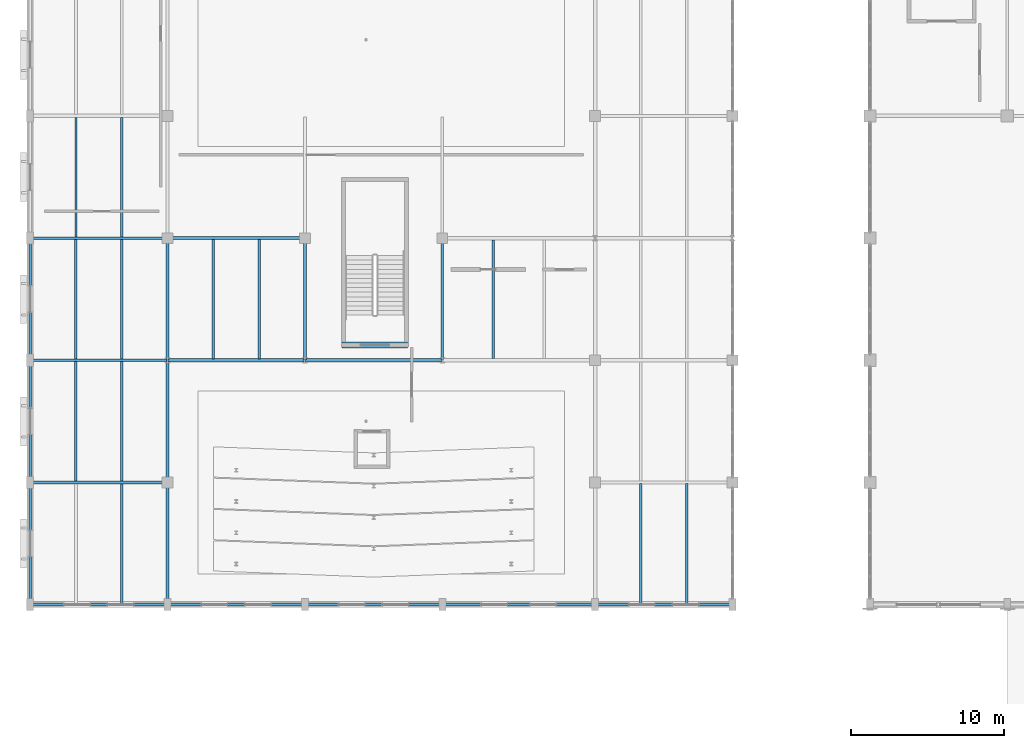
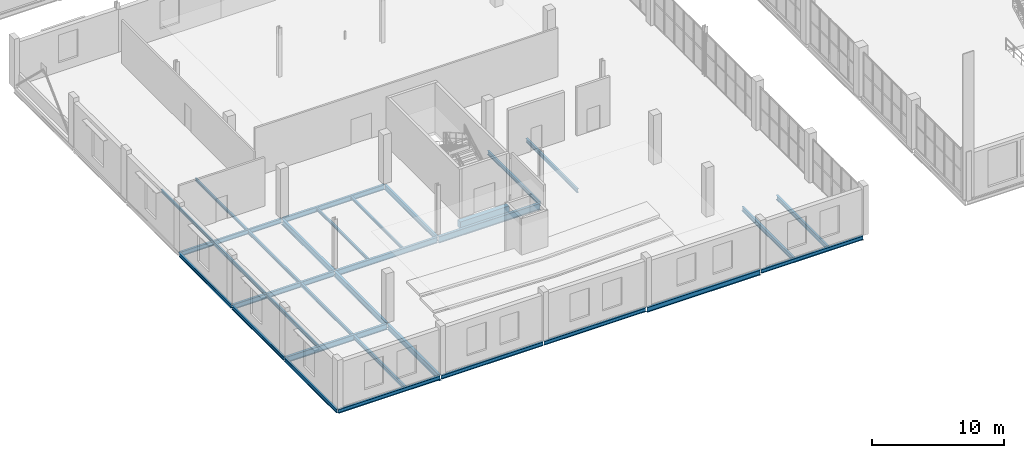
# One storey, part 22 of 93: 32 beams.
"""IFC4 building model written with IfcOpenShell, lengths in metres."""

from ifc_helpers import new_model, si_unit, direction, frame, origin, origin_2d, place, context, subcontext, project, spatial, rectangle, i_section, extrude, material, material_profile, profile_set, type_object, element, save


model = new_model("IFC4")

# Units and contexts
model_context = context("Model", 3, precision=1e-05, world=origin(), true_north=direction((0.0, 1.0)))
body_context = subcontext(model_context, "Body", "Model", "MODEL_VIEW")
ifc_project = project(units=[si_unit("LENGTHUNIT", "METRE"), si_unit("AREAUNIT", "SQUARE_METRE"), si_unit("VOLUMEUNIT", "CUBIC_METRE"), si_unit("PLANEANGLEUNIT", "RADIAN"), si_unit("MASSUNIT", "GRAM", prefix="KILO")], contexts=[model_context])

# Site, building, storey
site_placement = place(None, origin())
site = spatial("IfcSite", under=ifc_project, at=site_placement, CompositionType="ELEMENT")
building_placement = place(site_placement, origin())
building = spatial("IfcBuilding", under=site, at=building_placement, Name="Marnock Terrace Opera House", CompositionType="ELEMENT")
storey_placement = place(building_placement, frame((0.0, 0.0, 5.39990234375)))
storey = spatial("IfcBuildingStorey", under=building, at=storey_placement, Name="L01", CompositionType="ELEMENT", Elevation=5.39990234375)

# Beams
ifc_material_1 = material(Name="Steel Grade 350 (AS/NZS 3679.1)", Category="steel")
ifc_material_profile_1 = material_profile(ifc_material_1, i_section(OverallWidth=0.1708984375, OverallDepth=0.355712890625, WebThickness=0.00732421875, FlangeThickness=0.011474609375, FilletRadius=0.011474609375, at=origin_2d()))
ifc_profile_set_1 = profile_set([ifc_material_profile_1], Name="Steel Grade 350 (AS/NZS 3679.1)")
beam_type_1 = type_object("IfcBeamType", Name="BM-GIRD-360", PredefinedType="BEAM", material=ifc_profile_set_1)
beam_1_placement = place(storey_placement, frame((27.0, 24.050048828125, -0.457763671875), z_axis=(0.0, 1.0, 0.0), x_axis=(-1.0, 0.0, 0.0)))
element("IfcBeam", 1, at=beam_1_placement, inside=storey, type_object=beam_type_1, Name="L01 girder (X=27.0, 24.0..32.0)", PredefinedType="BEAM", context=body_context, shape_type="SweptSolid", body=[
    extrude(i_section(OverallWidth=0.1708984375, OverallDepth=0.355712890625, WebThickness=0.00732421875, FlangeThickness=0.011474609375, FilletRadius=0.011474609375, at=origin_2d()), origin(), (0.0, 0.0, 1.0), 7.89990234375),
])
ifc_material_profile_2 = material_profile(ifc_material_1, i_section(OverallWidth=0.177978515625, OverallDepth=0.402587890625, WebThickness=0.007568359375, FlangeThickness=0.010986328125, FilletRadius=0.011474609375, at=origin_2d()))
ifc_profile_set_2 = profile_set([ifc_material_profile_2], Name="Steel Grade 350 (AS/NZS 3679.1)")
beam_type_2 = type_object("IfcBeamType", Name="BM-GIRD-410", PredefinedType="BEAM", material=ifc_profile_set_2)
beam_2_placement = place(storey_placement, frame((0.050048828125, 32.0, -0.481201171875), z_axis=(1.0, 0.0, 0.0), x_axis=(0.0, 1.0, 0.0)))
element("IfcBeam", 2, at=beam_2_placement, inside=storey, type_object=beam_type_2, Name="L01 girder (0.0..9.0, Y=32.0)", PredefinedType="BEAM", context=body_context, shape_type="SweptSolid", body=[
    extrude(i_section(OverallWidth=0.177978515625, OverallDepth=0.402587890625, WebThickness=0.007568359375, FlangeThickness=0.010986328125, FilletRadius=0.011474609375, at=origin_2d()), origin(), (0.0, 0.0, 1.0), 8.89990234375),
])
ifc_material_profile_3 = material_profile(ifc_material_1, i_section(OverallWidth=0.19091796875, OverallDepth=0.46044921875, WebThickness=0.010009765625, FlangeThickness=0.01611328125, FilletRadius=0.011474609375, at=origin_2d()))
ifc_profile_set_3 = profile_set([ifc_material_profile_3], Name="Steel Grade 350 (AS/NZS 3679.1)")
beam_type_3 = type_object("IfcBeamType", Name="BM-GIRD-460A", PredefinedType="BEAM", material=ifc_profile_set_3)
for number, where, z_axis, x_axis, name in (
    (3, (0.050048828125, 24.0, -0.510009765625), (1.0, 0.0, 0.0), (0.0, 1.0, 0.0), "L01 girder (0.0..9.0, Y=24.0)"),
    (4, (9.050048828125, 32.0, -0.510009765625), (1.0, 0.0, 0.0), (0.0, 1.0, 0.0), "L01 girder (9.0..18.0, Y=32.0)"),
):
    element("IfcBeam", number, at=place(storey_placement, frame(where, z_axis=z_axis, x_axis=x_axis)), inside=storey, type_object=beam_type_3, Name=name, PredefinedType="BEAM", context=body_context, shape_type="SweptSolid", body=[
        extrude(i_section(OverallWidth=0.19091796875, OverallDepth=0.46044921875, WebThickness=0.010009765625, FlangeThickness=0.01611328125, FilletRadius=0.011474609375, at=origin_2d()), origin(), (0.0, 0.0, 1.0), 8.89990234375),
    ])
ifc_material_profile_4 = material_profile(ifc_material_1, i_section(OverallWidth=0.18994140625, OverallDepth=0.45751953125, WebThickness=0.009033203125, FlangeThickness=0.014404296875, FilletRadius=0.011474609375, at=origin_2d()))
ifc_profile_set_4 = profile_set([ifc_material_profile_4], Name="Steel Grade 350 (AS/NZS 3679.1)")
beam_type_4 = type_object("IfcBeamType", Name="BM-GIRD-460B", PredefinedType="BEAM", material=ifc_profile_set_4)
beam_3_placement = place(storey_placement, frame((18.0, 24.050048828125, -0.508544921875), z_axis=(0.0, 1.0, 0.0), x_axis=(-1.0, 0.0, 0.0)))
element("IfcBeam", 5, at=beam_3_placement, inside=storey, type_object=beam_type_4, Name="L01 girder (X=18.0, 24.0..32.0)", PredefinedType="BEAM", context=body_context, shape_type="SweptSolid", body=[
    extrude(i_section(OverallWidth=0.18994140625, OverallDepth=0.45751953125, WebThickness=0.009033203125, FlangeThickness=0.014404296875, FilletRadius=0.011474609375, at=origin_2d()), origin(), (0.0, 0.0, 1.0), 7.89990234375),
])
ifc_material_profile_5 = material_profile(ifc_material_1, i_section(OverallWidth=0.208984375, OverallDepth=0.532958984375, WebThickness=0.01025390625, FlangeThickness=0.015625, FilletRadius=0.013916015625, at=origin_2d()))
ifc_profile_set_5 = profile_set([ifc_material_profile_5], Name="Steel Grade 350 (AS/NZS 3679.1)")
beam_type_5 = type_object("IfcBeamType", Name="BM-GIRD-530A", PredefinedType="BEAM", material=ifc_profile_set_5)
for number, where, z_axis, x_axis, name in (
    (6, (0.050048828125, 16.0, -0.54638671875), (1.0, 0.0, 0.0), (0.0, 1.0, 0.0), "L01 girder (0.0..9.0, Y=16.0)"),
    (7, (9.050048828125, 24.0, -0.54638671875), (1.0, 0.0, 0.0), (0.0, 1.0, 0.0), "L01 girder (9.0..18.0, Y=24.0)"),
):
    element("IfcBeam", number, at=place(storey_placement, frame(where, z_axis=z_axis, x_axis=x_axis)), inside=storey, type_object=beam_type_5, Name=name, PredefinedType="BEAM", context=body_context, shape_type="SweptSolid", body=[
        extrude(i_section(OverallWidth=0.208984375, OverallDepth=0.532958984375, WebThickness=0.01025390625, FlangeThickness=0.015625, FilletRadius=0.013916015625, at=origin_2d()), origin(), (0.0, 0.0, 1.0), 8.89990234375),
    ])
ifc_material_profile_6 = material_profile(ifc_material_1, i_section(OverallWidth=0.208984375, OverallDepth=0.528076171875, WebThickness=0.009521484375, FlangeThickness=0.01318359375, FilletRadius=0.013916015625, at=origin_2d()))
ifc_profile_set_6 = profile_set([ifc_material_profile_6], Name="Steel Grade 350 (AS/NZS 3679.1)")
beam_type_6 = type_object("IfcBeamType", Name="BM-GIRD-530B", PredefinedType="BEAM", material=ifc_profile_set_6)
for number, where, z_axis, x_axis, name in (
    (8, (9.0, 8.050048828125, -0.5439453125), (0.0, 1.0, 0.0), (-1.0, 0.0, 0.0), "L01 girder (X=9.0, 8.0..16.0)"),
    (9, (9.0, 16.050048828125, -0.5439453125), (0.0, 1.0, 0.0), (-1.0, 0.0, 0.0), "L01 girder (X=9.0, 16.0..24.0)"),
    (10, (9.0, 24.050048828125, -0.5439453125), (0.0, 1.0, 0.0), (-1.0, 0.0, 0.0), "L01 girder (X=9.0, 24.0..32.0)"),
):
    element("IfcBeam", number, at=place(storey_placement, frame(where, z_axis=z_axis, x_axis=x_axis)), inside=storey, type_object=beam_type_6, Name=name, PredefinedType="BEAM", context=body_context, shape_type="SweptSolid", body=[
        extrude(i_section(OverallWidth=0.208984375, OverallDepth=0.528076171875, WebThickness=0.009521484375, FlangeThickness=0.01318359375, FilletRadius=0.013916015625, at=origin_2d()), origin(), (0.0, 0.0, 1.0), 7.89990234375),
    ])
ifc_material_profile_7 = material_profile(ifc_material_1, i_section(OverallWidth=0.22802734375, OverallDepth=0.60693359375, WebThickness=0.01123046875, FlangeThickness=0.017333984375, FilletRadius=0.013916015625, at=origin_2d()))
ifc_profile_set_7 = profile_set([ifc_material_profile_7], Name="Steel Grade 350 (AS/NZS 3679.1)")
beam_type_7 = type_object("IfcBeamType", Name="BM-GIRD-610B", PredefinedType="BEAM", material=ifc_profile_set_7)
beam_4_placement = place(storey_placement, frame((18.050048828125, 24.0, -0.58349609375), z_axis=(1.0, 0.0, 0.0), x_axis=(0.0, 1.0, 0.0)))
element("IfcBeam", 11, at=beam_4_placement, inside=storey, type_object=beam_type_7, Name="L01 girder (18.0..27.0, Y=24.0)", PredefinedType="BEAM", context=body_context, shape_type="SweptSolid", body=[
    extrude(i_section(OverallWidth=0.22802734375, OverallDepth=0.60693359375, WebThickness=0.01123046875, FlangeThickness=0.017333984375, FilletRadius=0.013916015625, at=origin_2d()), origin(), (0.0, 0.0, 1.0), 8.89990234375),
])
ifc_material_profile_8 = material_profile(ifc_material_1, i_section(OverallWidth=0.14599609375, OverallDepth=0.256103515625, WebThickness=0.00634765625, FlangeThickness=0.010986328125, FilletRadius=0.0087890625, at=origin_2d()))
ifc_profile_set_8 = profile_set([ifc_material_profile_8], Name="Steel Grade 350 (AS/NZS 3679.1)")
beam_type_8 = type_object("IfcBeamType", Name="BM-JOIST-250", PredefinedType="JOIST", material=ifc_profile_set_8)
for number, where, z_axis, x_axis, name in (
    (12, (3.0, 32.083984375, -0.407958984375), (0.0, 1.0, 0.0), (-1.0, 0.0, 0.0), "L01 secondary joist 0.4.1"),
    (13, (6.0, 32.083984375, -0.407958984375), (0.0, 1.0, 0.0), (-1.0, 0.0, 0.0), "L01 secondary joist 0.4.2"),
):
    element("IfcBeam", number, at=place(storey_placement, frame(where, z_axis=z_axis, x_axis=x_axis)), inside=storey, type_object=beam_type_8, Name=name, PredefinedType="JOIST", context=body_context, shape_type="SweptSolid", body=[
        extrude(i_section(OverallWidth=0.14599609375, OverallDepth=0.256103515625, WebThickness=0.00634765625, FlangeThickness=0.010986328125, FilletRadius=0.0087890625, at=origin_2d()), origin(), (0.0, 0.0, 1.0), 7.806396484375),
    ])
for number, where, z_axis, x_axis, name in (
    (14, (12.0, 24.099609375, -0.407958984375), (0.0, 1.0, 0.0), (-1.0, 0.0, 0.0), "L01 secondary joist 1.3.1"),
    (15, (15.0, 24.099609375, -0.407958984375), (0.0, 1.0, 0.0), (-1.0, 0.0, 0.0), "L01 secondary joist 1.3.2"),
):
    element("IfcBeam", number, at=place(storey_placement, frame(where, z_axis=z_axis, x_axis=x_axis)), inside=storey, type_object=beam_type_8, Name=name, PredefinedType="JOIST", context=body_context, shape_type="SweptSolid", body=[
        extrude(i_section(OverallWidth=0.14599609375, OverallDepth=0.256103515625, WebThickness=0.00634765625, FlangeThickness=0.010986328125, FilletRadius=0.0087890625, at=origin_2d()), origin(), (0.0, 0.0, 1.0), 7.809814453125),
    ])
ifc_material_profile_9 = material_profile(ifc_material_1, i_section(OverallWidth=0.166015625, OverallDepth=0.30712890625, WebThickness=0.006591796875, FlangeThickness=0.01171875, FilletRadius=0.011474609375, at=origin_2d()))
ifc_profile_set_9 = profile_set([ifc_material_profile_9], Name="Steel Grade 350 (AS/NZS 3679.1)")
beam_type_9 = type_object("IfcBeamType", Name="BM-JOIST-310A", PredefinedType="JOIST", material=ifc_profile_set_9)
for number, where, z_axis, x_axis, name in (
    (16, (3.0, 16.099609375, -0.43359375), (0.0, 1.0, 0.0), (-1.0, 0.0, 0.0), "L01 secondary joist 0.2.1"),
    (17, (6.0, 16.099609375, -0.43359375), (0.0, 1.0, 0.0), (-1.0, 0.0, 0.0), "L01 secondary joist 0.2.2"),
):
    element("IfcBeam", number, at=place(storey_placement, frame(where, z_axis=z_axis, x_axis=x_axis)), inside=storey, type_object=beam_type_9, Name=name, PredefinedType="JOIST", context=body_context, shape_type="SweptSolid", body=[
        extrude(i_section(OverallWidth=0.166015625, OverallDepth=0.30712890625, WebThickness=0.006591796875, FlangeThickness=0.01171875, FilletRadius=0.011474609375, at=origin_2d()), origin(), (0.0, 0.0, 1.0), 7.809814453125),
    ])
ifc_material_profile_10 = material_profile(ifc_material_1, i_section(OverallWidth=0.1650390625, OverallDepth=0.3037109375, WebThickness=0.006103515625, FlangeThickness=0.01025390625, FilletRadius=0.011474609375, at=origin_2d()))
ifc_profile_set_10 = profile_set([ifc_material_profile_10], Name="Steel Grade 350 (AS/NZS 3679.1)")
beam_type_10 = type_object("IfcBeamType", Name="BM-JOIST-310B", PredefinedType="JOIST", material=ifc_profile_set_10)
for number, where, z_axis, x_axis, name in (
    (18, (3.0, 24.090576171875, -0.431884765625), (0.0, 1.0, 0.0), (-1.0, 0.0, 0.0), "L01 secondary joist 0.3.1"),
    (19, (6.0, 24.090576171875, -0.431884765625), (0.0, 1.0, 0.0), (-1.0, 0.0, 0.0), "L01 secondary joist 0.3.2"),
):
    element("IfcBeam", number, at=place(storey_placement, frame(where, z_axis=z_axis, x_axis=x_axis)), inside=storey, type_object=beam_type_10, Name=name, PredefinedType="JOIST", context=body_context, shape_type="SweptSolid", body=[
        extrude(i_section(OverallWidth=0.1650390625, OverallDepth=0.3037109375, WebThickness=0.006103515625, FlangeThickness=0.01025390625, FilletRadius=0.011474609375, at=origin_2d()), origin(), (0.0, 0.0, 1.0), 7.825439453125),
    ])
ifc_material_profile_11 = material_profile(ifc_material_1, i_section(OverallWidth=0.172119140625, OverallDepth=0.358642578125, WebThickness=0.008056640625, FlangeThickness=0.012939453125, FilletRadius=0.011474609375, at=origin_2d()))
ifc_profile_set_11 = profile_set([ifc_material_profile_11], Name="Steel Grade 350 (AS/NZS 3679.1)")
beam_type_11 = type_object("IfcBeamType", Name="BM-JOIST-360", PredefinedType="JOIST", material=ifc_profile_set_11)
beam_5_placement = place(storey_placement, frame((6.0, 8.0810546875, -0.459228515625), z_axis=(0.0, 1.0, 0.0), x_axis=(-1.0, 0.0, 0.0)))
element("IfcBeam", 20, at=beam_5_placement, inside=storey, type_object=beam_type_11, Name="L01 secondary joist 0.1.2", PredefinedType="JOIST", context=body_context, shape_type="SweptSolid", body=[
    extrude(i_section(OverallWidth=0.172119140625, OverallDepth=0.358642578125, WebThickness=0.008056640625, FlangeThickness=0.012939453125, FilletRadius=0.011474609375, at=origin_2d()), origin(), (0.0, 0.0, 1.0), 7.8193359375),
])
beam_6_placement = place(storey_placement, frame((30.333251953125, 24.109619140625, -0.459228515625), z_axis=(0.0, 1.0, 0.0), x_axis=(-1.0, 0.0, 0.0)))
element("IfcBeam", 21, at=beam_6_placement, inside=storey, type_object=beam_type_11, Name="L01 secondary joist 3.3.1", PredefinedType="JOIST", context=body_context, shape_type="SweptSolid", body=[
    extrude(i_section(OverallWidth=0.172119140625, OverallDepth=0.358642578125, WebThickness=0.008056640625, FlangeThickness=0.012939453125, FilletRadius=0.011474609375, at=origin_2d()), origin(), (0.0, 0.0, 1.0), 7.781494140625),
])
ifc_material_profile_12 = material_profile(ifc_material_1, i_section(OverallWidth=0.177978515625, OverallDepth=0.406494140625, WebThickness=0.0078125, FlangeThickness=0.0126953125, FilletRadius=0.011474609375, at=origin_2d()))
ifc_profile_set_12 = profile_set([ifc_material_profile_12], Name="Steel Grade 350 (AS/NZS 3679.1)")
beam_type_12 = type_object("IfcBeamType", Name="BM-JOIST-410", PredefinedType="JOIST", material=ifc_profile_set_12)
for number, where, z_axis, x_axis, name in (
    (22, (40.0, 8.0810546875, -0.483154296875), (0.0, 1.0, 0.0), (-1.0, 0.0, 0.0), "L01 secondary joist 4.1.1"),
    (23, (43.0, 8.0810546875, -0.483154296875), (0.0, 1.0, 0.0), (-1.0, 0.0, 0.0), "L01 secondary joist 4.1.2"),
):
    element("IfcBeam", number, at=place(storey_placement, frame(where, z_axis=z_axis, x_axis=x_axis)), inside=storey, type_object=beam_type_12, Name=name, PredefinedType="JOIST", context=body_context, shape_type="SweptSolid", body=[
        extrude(i_section(OverallWidth=0.177978515625, OverallDepth=0.406494140625, WebThickness=0.0078125, FlangeThickness=0.0126953125, FilletRadius=0.011474609375, at=origin_2d()), origin(), (0.0, 0.0, 1.0), 7.8349609375),
    ])
ifc_material_2 = material(Name="Concrete N40 (f'c = 40 MPa)", Category="concrete")
ifc_material_profile_13 = material_profile(ifc_material_2, rectangle(XDim=0.39990234375, YDim=0.64990234375, at=origin_2d()))
ifc_profile_set_13 = profile_set([ifc_material_profile_13], Name="Concrete N40 (f'c = 40 MPa)")
beam_type_13 = type_object("IfcBeamType", Name="BM-LINT-RC400", PredefinedType="LINTEL", material=ifc_profile_set_13)
beam_7_placement = place(storey_placement, frame((20.43994140625, 25.0, -0.6298828125), z_axis=(1.0, 0.0, 0.0), x_axis=(0.0, 1.0, 0.0)))
element("IfcBeam", 24, at=beam_7_placement, inside=storey, type_object=beam_type_13, Name="L00 Core C5 coupling lintel", PredefinedType="LINTEL", context=body_context, shape_type="SweptSolid", body=[
    extrude(rectangle(XDim=0.39990234375, YDim=0.64990234375, at=origin_2d()), origin(), (0.0, 0.0, 1.0), 4.280029296875),
])
ifc_material_profile_14 = material_profile(ifc_material_1, i_section(OverallWidth=0.172119140625, OverallDepth=0.358642578125, WebThickness=0.008056640625, FlangeThickness=0.012939453125, FilletRadius=0.011474609375, at=origin_2d()))
ifc_profile_set_14 = profile_set([ifc_material_profile_14], Name="Steel Grade 350 (AS/NZS 3679.1)")
beam_type_14 = type_object("IfcBeamType", Name="BM-SPAN-360", PredefinedType="SPANDREL", material=ifc_profile_set_14)
for number, where, z_axis, x_axis, name in (
    (25, (0.050048828125, 8.0, -0.459228515625), (1.0, 0.0, 0.0), (0.0, 1.0, 0.0), "L01 girder (0.0..9.0, Y=8.0)"),
    (26, (9.050048828125, 8.0, -0.459228515625), (1.0, 0.0, 0.0), (0.0, 1.0, 0.0), "L01 girder (9.0..18.0, Y=8.0)"),
    (27, (18.050048828125, 8.0, -0.459228515625), (1.0, 0.0, 0.0), (0.0, 1.0, 0.0), "L01 girder (18.0..27.0, Y=8.0)"),
    (28, (37.050048828125, 8.0, -0.459228515625), (1.0, 0.0, 0.0), (0.0, 1.0, 0.0), "L01 girder (37.0..46.0, Y=8.0)"),
):
    element("IfcBeam", number, at=place(storey_placement, frame(where, z_axis=z_axis, x_axis=x_axis)), inside=storey, type_object=beam_type_14, Name=name, PredefinedType="SPANDREL", context=body_context, shape_type="SweptSolid", body=[
        extrude(i_section(OverallWidth=0.172119140625, OverallDepth=0.358642578125, WebThickness=0.008056640625, FlangeThickness=0.012939453125, FilletRadius=0.011474609375, at=origin_2d()), origin(), (0.0, 0.0, 1.0), 8.89990234375),
    ])
for number, where, z_axis, x_axis, name in (
    (29, (0.0, 8.050048828125, -0.459228515625), (0.0, 1.0, 0.0), (-1.0, 0.0, 0.0), "L01 girder (X=0.0, 8.0..16.0)"),
    (30, (0.0, 16.050048828125, -0.459228515625), (0.0, 1.0, 0.0), (-1.0, 0.0, 0.0), "L01 girder (X=0.0, 16.0..24.0)"),
    (31, (0.0, 24.050048828125, -0.459228515625), (0.0, 1.0, 0.0), (-1.0, 0.0, 0.0), "L01 girder (X=0.0, 24.0..32.0)"),
):
    element("IfcBeam", number, at=place(storey_placement, frame(where, z_axis=z_axis, x_axis=x_axis)), inside=storey, type_object=beam_type_14, Name=name, PredefinedType="SPANDREL", context=body_context, shape_type="SweptSolid", body=[
        extrude(i_section(OverallWidth=0.172119140625, OverallDepth=0.358642578125, WebThickness=0.008056640625, FlangeThickness=0.012939453125, FilletRadius=0.011474609375, at=origin_2d()), origin(), (0.0, 0.0, 1.0), 7.89990234375),
    ])
ifc_material_profile_15 = material_profile(ifc_material_1, i_section(OverallWidth=0.19091796875, OverallDepth=0.46044921875, WebThickness=0.010009765625, FlangeThickness=0.01611328125, FilletRadius=0.011474609375, at=origin_2d()))
ifc_profile_set_15 = profile_set([ifc_material_profile_15], Name="Steel Grade 350 (AS/NZS 3679.1)")
beam_type_15 = type_object("IfcBeamType", Name="BM-SPAN-460", PredefinedType="SPANDREL", material=ifc_profile_set_15)
beam_8_placement = place(storey_placement, frame((27.050048828125, 8.0, -0.510009765625), z_axis=(1.0, 0.0, 0.0), x_axis=(0.0, 1.0, 0.0)))
element("IfcBeam", 32, at=beam_8_placement, inside=storey, type_object=beam_type_15, Name="L01 girder (27.0..37.0, Y=8.0)", PredefinedType="SPANDREL", context=body_context, shape_type="SweptSolid", body=[
    extrude(i_section(OverallWidth=0.19091796875, OverallDepth=0.46044921875, WebThickness=0.010009765625, FlangeThickness=0.01611328125, FilletRadius=0.011474609375, at=origin_2d()), origin(), (0.0, 0.0, 1.0), 9.89990234375),
])

save(model, "model.ifc")
